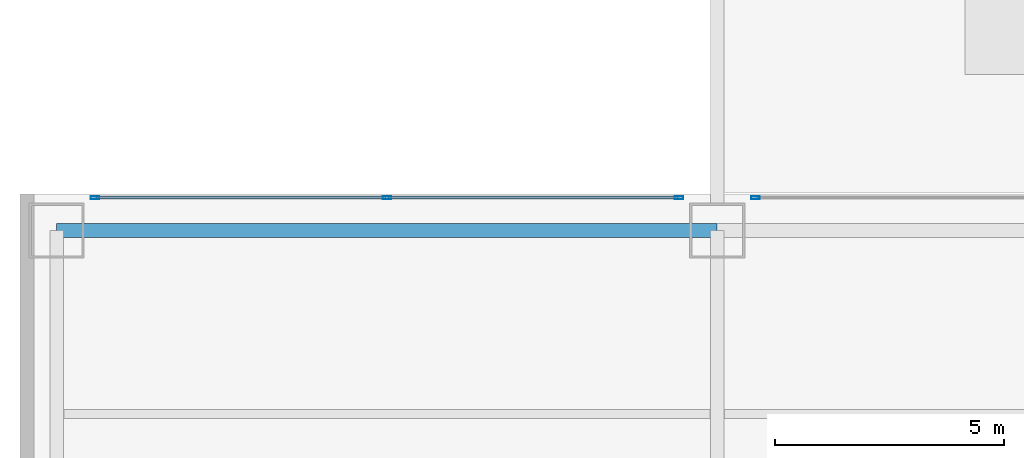
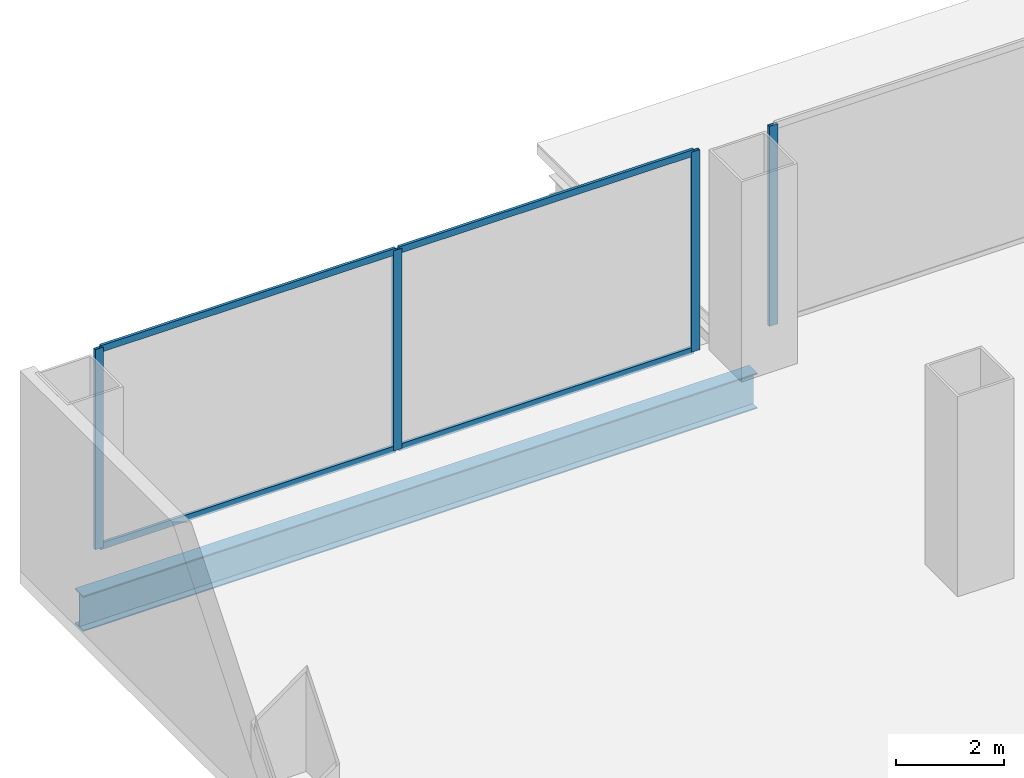
# One storey, part 18 of 42: 8 members, 1 beam, 2 elements without a shape of their own.
"""IFC4 building model written with IfcOpenShell, lengths in metres."""

from ifc_helpers import new_model, si_unit, direction, frame, origin, origin_2d, place, context, subcontext, project, spatial, hollow_rectangle, i_section, extrude, source, transform, mapped, material, layer, layer_set, material_profile, profile_set, type_object, element, aggregate, save


model = new_model("IFC4")

# Units and contexts
model_context = context("Model", 3, precision=1e-05, world=origin(), true_north=direction((0.0, 1.0)))
body_context = subcontext(model_context, "Body", "Model", "MODEL_VIEW")
ifc_project = project(units=[si_unit("LENGTHUNIT", "METRE"), si_unit("AREAUNIT", "SQUARE_METRE"), si_unit("VOLUMEUNIT", "CUBIC_METRE"), si_unit("PLANEANGLEUNIT", "RADIAN"), si_unit("MASSUNIT", "GRAM", prefix="KILO"), si_unit("THERMODYNAMICTEMPERATUREUNIT", "KELVIN"), si_unit("POWERUNIT", "WATT")], contexts=[model_context])

# Site, building, storey
site_placement = place(None, origin())
site = spatial("IfcSite", under=ifc_project, at=site_placement, CompositionType="ELEMENT")
building_placement = place(site_placement, origin())
building = spatial("IfcBuilding", under=site, at=building_placement, Name="Yunzhuo Pagoda Commons", CompositionType="ELEMENT")
storey_placement = place(building_placement, frame((0.0, 0.0, 4.800048828125)))
storey = spatial("IfcBuildingStorey", under=building, at=storey_placement, Name="L02", CompositionType="ELEMENT", Elevation=4.800048828125)

# Beam
ifc_material_1 = material(Name="Structural steel Q355B", Category="steel")
ifc_material_profile_1 = material_profile(ifc_material_1, i_section(OverallWidth=0.300048828125, OverallDepth=0.800048828125, WebThickness=0.013916015625, FlangeThickness=0.02587890625, at=origin_2d()), Name="Structural steel Q355B")
ifc_profile_set_1 = profile_set([ifc_material_profile_1], Name="Structural steel Q355B")
beam_type = type_object("IfcBeamType", Name="B-PD2 Beam HN 800x300x14x26", PredefinedType="BEAM", material=ifc_profile_set_1)
shared_shape_1 = source(origin(), body_context, "Body", "SweptSolid", [
    extrude(i_section(OverallWidth=0.300048828125, OverallDepth=0.800048828125, WebThickness=0.013916015625, FlangeThickness=0.02587890625, at=origin_2d()), origin(), (0.0, 0.0, 1.0), 14.39990234375),
])
beam_placement = place(storey_placement, frame((4.800048828125, 89.199951171875, -0.679931640625), z_axis=(1.0, 0.0, 0.0), x_axis=(0.0, 1.0, 0.0)))
element("IfcBeam", 1, at=beam_placement, inside=storey, type_object=beam_type, Name="L02 podium girder EW 6.1", PredefinedType="BEAM", context=body_context, shape_type="MappedRepresentation", body=[
    mapped(shared_shape_1, transform((0.0, 0.0, 0.0), scale=1.0)),
])

# Curtain wall, members
ifc_material_2 = material(Name="Anodized aluminium 6063-T6", Category="aluminium")
ifc_layer = layer(ifc_material_2, 0.179931640625)
ifc_layer_set = layer_set([ifc_layer], Name="Anodized aluminium 6063-T6")
curtain_wall_type = type_object("IfcCurtainWallType", Name="CW-POD Waterfront Podium Curtain Wall", PredefinedType="NOTDEFINED", material=ifc_layer_set)
curtain_wall_1_placement = place(storey_placement, origin())
curtain_wall_1 = element("IfcCurtainWall", 2, at=curtain_wall_1_placement, inside=storey, type_object=curtain_wall_type, Name="L02 curtain wall CW-L02-N1", PredefinedType="NOTDEFINED")
ifc_material_profile_2 = material_profile(ifc_material_2, hollow_rectangle(XDim=0.06494140625, YDim=0.179931640625, WallThickness=0.00390625, at=origin_2d()), Name="Anodized aluminium 6063-T6")
ifc_profile_set_2 = profile_set([ifc_material_profile_2], Name="Anodized aluminium 6063-T6")
member_type_1 = type_object("IfcMemberType", Name="CW-POD-M Mullion RHS 180x65x4", PredefinedType="MULLION", material=ifc_profile_set_2)
shared_shape_2 = source(origin(), body_context, "Body", "SweptSolid", [
    extrude(hollow_rectangle(XDim=0.06494140625, YDim=0.179931640625, WallThickness=0.00390625, at=origin_2d()), origin(), (0.0, 0.0, 1.0), 4.52001953125),
])
member_1_placement = place(storey_placement, frame((5.632568359375, 89.919921875, 0.0), z_axis=(0.0, 0.0, 1.0), x_axis=(0.0, 1.0, 0.0)))
member_1 = element("IfcMember", 3, at=member_1_placement, type_object=member_type_1, Name="CW mullion 1", PredefinedType="MULLION", context=body_context, shape_type="MappedRepresentation", body=[
    mapped(shared_shape_2, transform((0.0, 0.0, 0.0), scale=1.0)),
])
member_2_placement = place(storey_placement, frame((12.0, 89.919921875, 0.0), z_axis=(0.0, 0.0, 1.0), x_axis=(0.0, 1.0, 0.0)))
member_2 = element("IfcMember", 4, at=member_2_placement, type_object=member_type_1, Name="CW mullion 2", PredefinedType="MULLION", context=body_context, shape_type="MappedRepresentation", body=[
    mapped(shared_shape_2, transform((0.0, 0.0, 0.0), scale=1.0)),
])
member_3_placement = place(storey_placement, frame((18.367431640625, 89.919921875, 0.0), z_axis=(0.0, 0.0, 1.0), x_axis=(0.0, 1.0, 0.0)))
member_3 = element("IfcMember", 5, at=member_3_placement, type_object=member_type_1, Name="CW mullion 3", PredefinedType="MULLION", context=body_context, shape_type="MappedRepresentation", body=[
    mapped(shared_shape_2, transform((0.0, 0.0, 0.0), scale=1.0)),
])

# Curtain wall, member
curtain_wall_2_placement = place(storey_placement, origin())
curtain_wall_2 = element("IfcCurtainWall", 6, at=curtain_wall_2_placement, inside=storey, type_object=curtain_wall_type, Name="L02 curtain wall CW-L02-N2", PredefinedType="NOTDEFINED")
member_4_placement = place(storey_placement, frame((20.032470703125, 89.919921875, 0.0), z_axis=(0.0, 0.0, 1.0), x_axis=(0.0, 1.0, 0.0)))
member_4 = element("IfcMember", 7, at=member_4_placement, type_object=member_type_1, Name="CW mullion 1", PredefinedType="MULLION", context=body_context, shape_type="MappedRepresentation", body=[
    mapped(shared_shape_2, transform((0.0, 0.0, 0.0), scale=1.0)),
])
aggregate(curtain_wall_2, [member_4])

# Member
ifc_material_profile_3 = material_profile(ifc_material_2, hollow_rectangle(XDim=0.06005859375, YDim=0.14990234375, WallThickness=0.00390625, at=origin_2d()), Name="Anodized aluminium 6063-T6")
ifc_profile_set_3 = profile_set([ifc_material_profile_3], Name="Anodized aluminium 6063-T6")
member_type_2 = type_object("IfcMemberType", Name="CW-POD-T Transom RHS 150x60x4", PredefinedType="USERDEFINED", material=ifc_profile_set_3)
shared_shape_3 = source(origin(), body_context, "Body", "SweptSolid", [
    extrude(hollow_rectangle(XDim=0.06005859375, YDim=0.14990234375, WallThickness=0.00390625, at=origin_2d()), origin(), (0.0, 0.0, 1.0), 6.302490234375),
])
member_5_placement = place(storey_placement, frame((5.6650390625, 89.919921875, 0.030029296875), z_axis=(1.0, 0.0, 0.0), x_axis=(0.0, 1.0, 0.0)))
member_5 = element("IfcMember", 8, at=member_5_placement, type_object=member_type_2, Name="CW transom 1.1", ObjectType="TRANSOM", PredefinedType="USERDEFINED", context=body_context, shape_type="MappedRepresentation", body=[
    mapped(shared_shape_3, transform((0.0, 0.0, 0.0), scale=1.0)),
])

member_6_placement = place(storey_placement, frame((5.6650390625, 89.919921875, 4.489990234375), z_axis=(1.0, 0.0, 0.0), x_axis=(0.0, 1.0, 0.0)))
member_6 = element("IfcMember", 9, at=member_6_placement, type_object=member_type_2, Name="CW transom 1.2", ObjectType="TRANSOM", PredefinedType="USERDEFINED", context=body_context, shape_type="MappedRepresentation", body=[
    mapped(shared_shape_3, transform((0.0, 0.0, 0.0), scale=1.0)),
])

member_7_placement = place(storey_placement, frame((12.032470703125, 89.919921875, 0.030029296875), z_axis=(1.0, 0.0, 0.0), x_axis=(0.0, 1.0, 0.0)))
member_7 = element("IfcMember", 10, at=member_7_placement, type_object=member_type_2, Name="CW transom 2.1", ObjectType="TRANSOM", PredefinedType="USERDEFINED", context=body_context, shape_type="MappedRepresentation", body=[
    mapped(shared_shape_3, transform((0.0, 0.0, 0.0), scale=1.0)),
])

member_8_placement = place(storey_placement, frame((12.032470703125, 89.919921875, 4.489990234375), z_axis=(1.0, 0.0, 0.0), x_axis=(0.0, 1.0, 0.0)))
member_8 = element("IfcMember", 11, at=member_8_placement, type_object=member_type_2, Name="CW transom 2.2", ObjectType="TRANSOM", PredefinedType="USERDEFINED", context=body_context, shape_type="MappedRepresentation", body=[
    mapped(shared_shape_3, transform((0.0, 0.0, 0.0), scale=1.0)),
])

aggregate(curtain_wall_1, [member_1, member_2, member_3, member_5, member_6, member_7, member_8])

save(model, "model.ifc")
